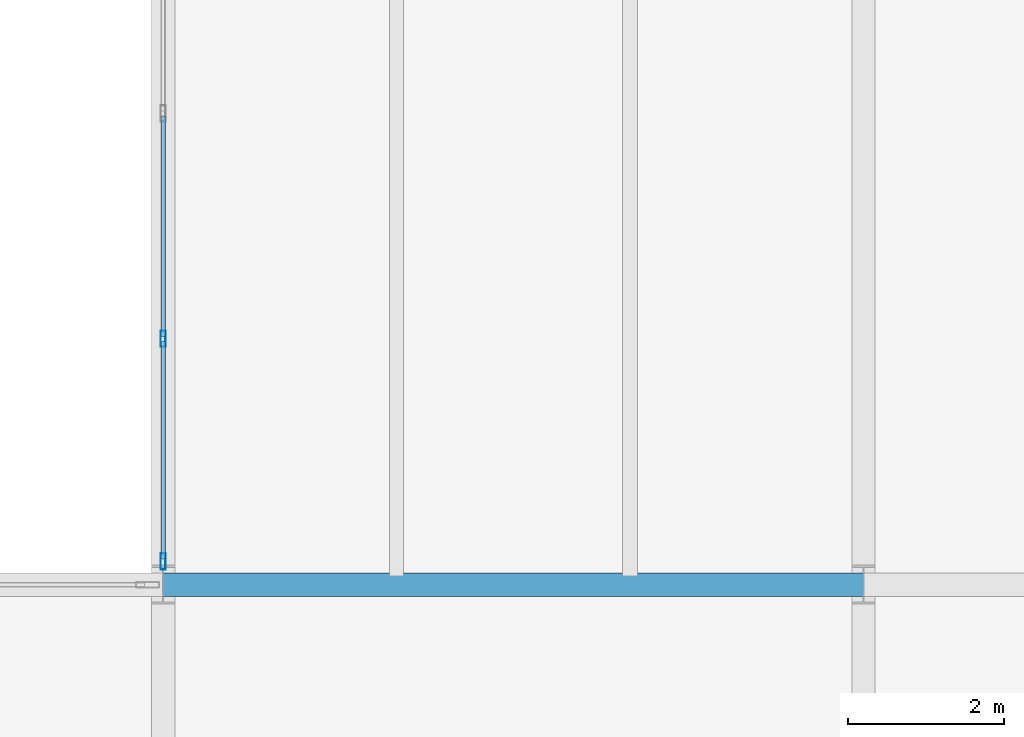
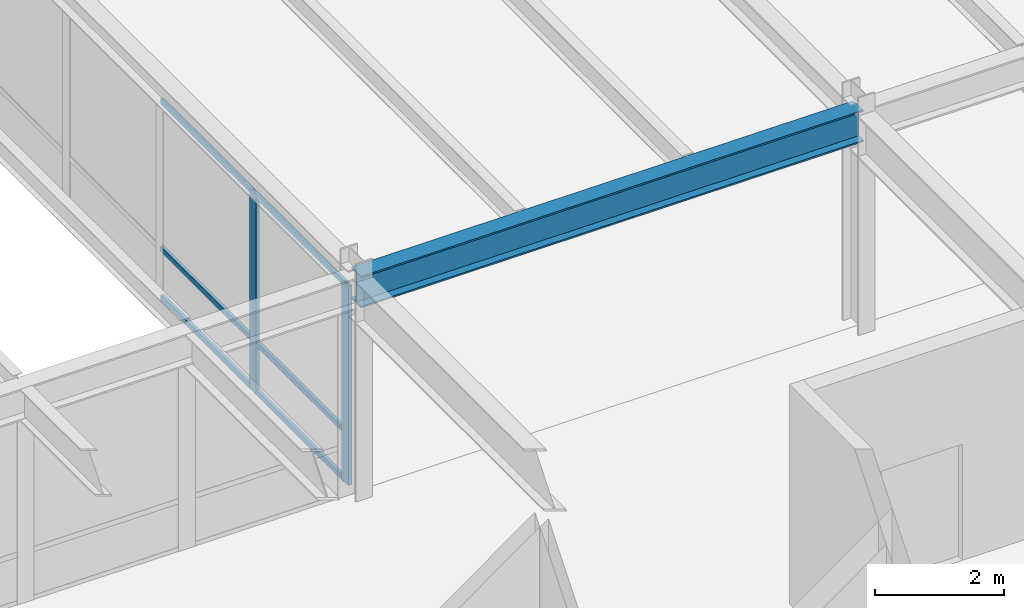
# One storey, part 26 of 127: 8 members, 1 beam, 1 element without a shape of its own.
"""IFC4 building model written with IfcOpenShell, lengths in metres."""

from ifc_helpers import new_model, si_unit, direction, frame, origin, origin_2d, place, context, subcontext, project, spatial, hollow_rectangle, i_section, extrude, material, layer, layer_set, material_profile, profile_set, type_object, element, aggregate, save


model = new_model("IFC4")

# Units and contexts
model_context = context("Model", 3, precision=1e-05, world=origin(), true_north=direction((0.0, 1.0)))
body_context = subcontext(model_context, "Body", "Model", "MODEL_VIEW")
ifc_project = project(units=[si_unit("LENGTHUNIT", "METRE"), si_unit("AREAUNIT", "SQUARE_METRE"), si_unit("VOLUMEUNIT", "CUBIC_METRE"), si_unit("PLANEANGLEUNIT", "RADIAN"), si_unit("MASSUNIT", "GRAM", prefix="KILO")], contexts=[model_context])

# Site, building, storey
site_placement = place(None, origin())
site = spatial("IfcSite", under=ifc_project, at=site_placement, CompositionType="ELEMENT")
building_placement = place(site_placement, origin())
building = spatial("IfcBuilding", under=site, at=building_placement, Name="Montelvaro Courts of Justice", CompositionType="ELEMENT")
storey_placement = place(building_placement, frame((0.0, 0.0, 5.39990234375)))
storey = spatial("IfcBuildingStorey", under=building, at=storey_placement, Name="L01", CompositionType="ELEMENT", Elevation=5.39990234375)

# Beam
ifc_material_1 = material(Name="Steel S355", Category="steel")
ifc_material_profile_1 = material_profile(ifc_material_1, i_section(OverallWidth=0.300048828125, OverallDepth=0.60009765625, WebThickness=0.015380859375, FlangeThickness=0.030029296875, at=origin_2d()), Name="HEB 600")
ifc_profile_set_1 = profile_set([ifc_material_profile_1], Name="Steel S355")
beam_type = type_object("IfcBeamType", Name="Beam_HEB600", PredefinedType="USERDEFINED", material=ifc_profile_set_1)
beam_placement = place(storey_placement, frame((54.0, 42.0, 3.860107421875), z_axis=(1.0, 0.0, 0.0), x_axis=(0.0, 1.0, 0.0)))
element("IfcBeam", 1, at=beam_placement, inside=storey, type_object=beam_type, Name="Beam B-26 L01", ObjectType="GIRDER", PredefinedType="USERDEFINED", context=body_context, shape_type="SweptSolid", body=[
    extrude(i_section(OverallWidth=0.300048828125, OverallDepth=0.60009765625, WebThickness=0.015380859375, FlangeThickness=0.030029296875, at=origin_2d()), origin(), (0.0, 0.0, 1.0), 9.0),
])

# Curtain wall, members
ifc_material_2 = material(Name="Anodised aluminium EN AW-6063", Category="aluminium")
ifc_layer = layer(ifc_material_2, 0.159912109375)
ifc_layer_set = layer_set([ifc_layer], Name="Anodised aluminium EN AW-6063")
curtain_wall_type = type_object("IfcCurtainWallType", Name="CurtainWall_19_1159x418", PredefinedType="USERDEFINED", material=ifc_layer_set)
curtain_wall_placement = place(storey_placement, origin())
curtain_wall = element("IfcCurtainWall", 2, at=curtain_wall_placement, inside=storey, type_object=curtain_wall_type, Name="Curtain Wall CW-19 (L01)", ObjectType="CURTAIN WALL", PredefinedType="USERDEFINED")
ifc_material_profile_2 = material_profile(ifc_material_2, hollow_rectangle(XDim=0.06494140625, YDim=0.2099609375, WallThickness=0.0048828125, at=origin_2d()), Name="ALU-M 65x210")
ifc_profile_set_2 = profile_set([ifc_material_profile_2], Name="Anodised aluminium EN AW-6063")
member_type_1 = type_object("IfcMemberType", Name="CurtainWall_Mullion_65x210", PredefinedType="MULLION", material=ifc_profile_set_2)
member_1_placement = place(storey_placement, frame((54.0, 45.159912109375, 0.0), z_axis=(0.0, 0.0, 1.0), x_axis=(1.0, 0.0, 0.0)))
member_1 = element("IfcMember", 3, at=member_1_placement, type_object=member_type_1, Name="CW-19 mullion 4", PredefinedType="MULLION", context=body_context, shape_type="SweptSolid", body=[
    extrude(hollow_rectangle(XDim=0.06494140625, YDim=0.2099609375, WallThickness=0.0048828125, at=origin_2d()), origin(), (0.0, 0.0, 1.0), 3.775146484375),
])
member_2_placement = place(storey_placement, frame((54.0, 42.297607421875, 0.0), z_axis=(0.0, 0.0, 1.0), x_axis=(1.0, 0.0, 0.0)))
member_2 = element("IfcMember", 4, at=member_2_placement, type_object=member_type_1, Name="CW-19 mullion 5", PredefinedType="MULLION", context=body_context, shape_type="SweptSolid", body=[
    extrude(hollow_rectangle(XDim=0.06494140625, YDim=0.2099609375, WallThickness=0.0048828125, at=origin_2d()), origin(), (0.0, 0.0, 1.0), 3.775146484375),
])
ifc_material_profile_3 = material_profile(ifc_material_2, hollow_rectangle(XDim=0.06005859375, YDim=0.10009765625, WallThickness=0.00341796875, at=origin_2d()), Name="ALU-T 60x100")
ifc_profile_set_3 = profile_set([ifc_material_profile_3], Name="Anodised aluminium EN AW-6063")
member_type_2 = type_object("IfcMemberType", Name="CurtainWall_Transom_60x100", PredefinedType="USERDEFINED", material=ifc_profile_set_3)
member_3_placement = place(storey_placement, frame((54.0, 48.0224609375, 0.030029296875), z_axis=(0.0, -1.0, 0.0), x_axis=(1.0, 0.0, 0.0)))
member_3 = element("IfcMember", 5, at=member_3_placement, type_object=member_type_2, Name="CW-19 transom 3.1", ObjectType="TRANSOM", PredefinedType="USERDEFINED", context=body_context, shape_type="SweptSolid", body=[
    extrude(hollow_rectangle(XDim=0.06005859375, YDim=0.10009765625, WallThickness=0.00341796875, at=origin_2d()), origin(), (0.0, 0.0, 1.0), 2.830078125),
])
member_4_placement = place(storey_placement, frame((54.0, 48.0224609375, 0.9501953125), z_axis=(0.0, -1.0, 0.0), x_axis=(1.0, 0.0, 0.0)))
member_4 = element("IfcMember", 6, at=member_4_placement, type_object=member_type_2, Name="CW-19 transom 3.2", ObjectType="TRANSOM", PredefinedType="USERDEFINED", context=body_context, shape_type="SweptSolid", body=[
    extrude(hollow_rectangle(XDim=0.06005859375, YDim=0.10009765625, WallThickness=0.00341796875, at=origin_2d()), origin(), (0.0, 0.0, 1.0), 2.830078125),
])
member_5_placement = place(storey_placement, frame((54.0, 48.0224609375, 3.7451171875), z_axis=(0.0, -1.0, 0.0), x_axis=(1.0, 0.0, 0.0)))
member_5 = element("IfcMember", 7, at=member_5_placement, type_object=member_type_2, Name="CW-19 transom 3.3", ObjectType="TRANSOM", PredefinedType="USERDEFINED", context=body_context, shape_type="SweptSolid", body=[
    extrude(hollow_rectangle(XDim=0.06005859375, YDim=0.10009765625, WallThickness=0.00341796875, at=origin_2d()), origin(), (0.0, 0.0, 1.0), 2.830078125),
])
member_6_placement = place(storey_placement, frame((54.0, 45.12744140625, 0.030029296875), z_axis=(0.0, -1.0, 0.0), x_axis=(1.0, 0.0, 0.0)))
member_6 = element("IfcMember", 8, at=member_6_placement, type_object=member_type_2, Name="CW-19 transom 4.1", ObjectType="TRANSOM", PredefinedType="USERDEFINED", context=body_context, shape_type="SweptSolid", body=[
    extrude(hollow_rectangle(XDim=0.06005859375, YDim=0.10009765625, WallThickness=0.00341796875, at=origin_2d()), origin(), (0.0, 0.0, 1.0), 2.79736328125),
])
member_7_placement = place(storey_placement, frame((54.0, 45.12744140625, 0.9501953125), z_axis=(0.0, -1.0, 0.0), x_axis=(1.0, 0.0, 0.0)))
member_7 = element("IfcMember", 9, at=member_7_placement, type_object=member_type_2, Name="CW-19 transom 4.2", ObjectType="TRANSOM", PredefinedType="USERDEFINED", context=body_context, shape_type="SweptSolid", body=[
    extrude(hollow_rectangle(XDim=0.06005859375, YDim=0.10009765625, WallThickness=0.00341796875, at=origin_2d()), origin(), (0.0, 0.0, 1.0), 2.79736328125),
])
member_8_placement = place(storey_placement, frame((54.0, 45.12744140625, 3.7451171875), z_axis=(0.0, -1.0, 0.0), x_axis=(1.0, 0.0, 0.0)))
member_8 = element("IfcMember", 10, at=member_8_placement, type_object=member_type_2, Name="CW-19 transom 4.3", ObjectType="TRANSOM", PredefinedType="USERDEFINED", context=body_context, shape_type="SweptSolid", body=[
    extrude(hollow_rectangle(XDim=0.06005859375, YDim=0.10009765625, WallThickness=0.00341796875, at=origin_2d()), origin(), (0.0, 0.0, 1.0), 2.79736328125),
])
aggregate(curtain_wall, [member_1, member_2, member_3, member_4, member_5, member_6, member_7, member_8])

save(model, "model.ifc")
